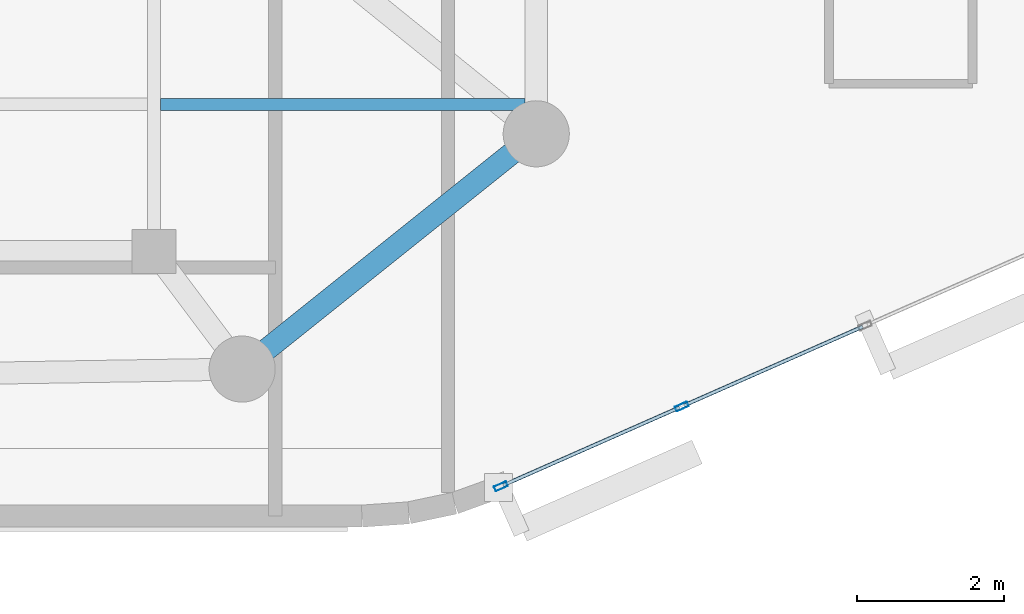
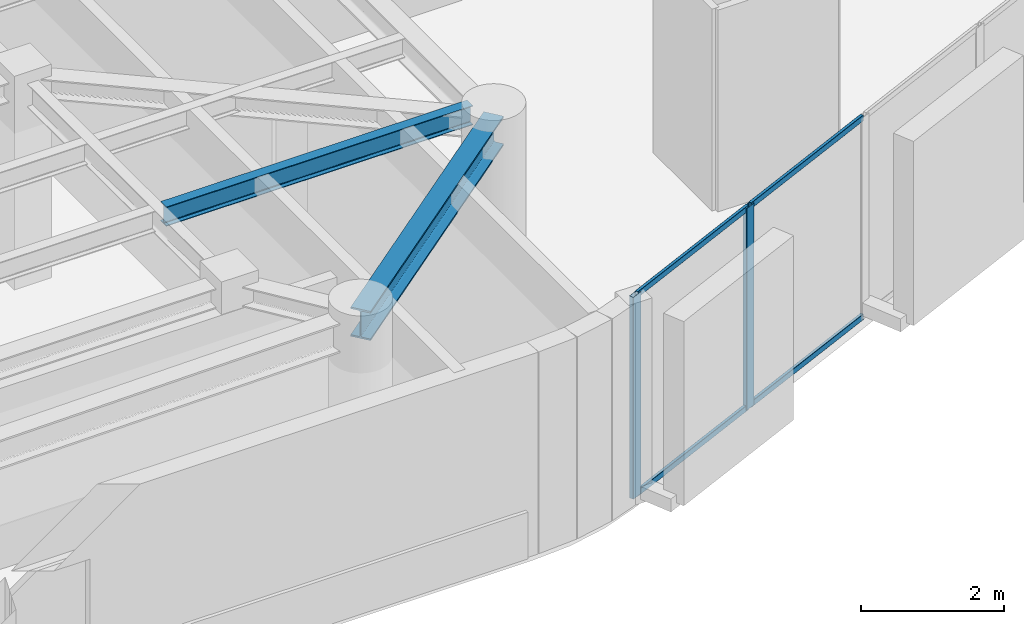
# One storey, part 2 of 12: 6 members, 2 beams, 1 element without a shape of its own.
"""IFC4 building model written with IfcOpenShell, lengths in metres."""

from ifc_helpers import new_model, si_unit, direction, frame, origin, origin_2d, place, context, subcontext, project, spatial, hollow_rectangle, i_section, extrude, material, layer, layer_set, material_profile, profile_set, type_object, element, aggregate, save


model = new_model("IFC4")

# Units and contexts
model_context = context("Model", 3, precision=1e-05, world=origin(), true_north=direction((0.0, 1.0)))
body_context = subcontext(model_context, "Body", "Model", "MODEL_VIEW")
ifc_project = project(units=[si_unit("LENGTHUNIT", "METRE"), si_unit("AREAUNIT", "SQUARE_METRE"), si_unit("VOLUMEUNIT", "CUBIC_METRE"), si_unit("PLANEANGLEUNIT", "RADIAN"), si_unit("MASSUNIT", "GRAM", prefix="KILO")], contexts=[model_context])

# Site, building, storey
site_placement = place(None, origin())
site = spatial("IfcSite", under=ifc_project, at=site_placement, CompositionType="ELEMENT")
building_placement = place(site_placement, origin())
building = spatial("IfcBuilding", under=site, at=building_placement, Name="An Khanh Terracotta Commons", CompositionType="ELEMENT")
storey_placement = place(building_placement, frame((0.0, 0.0, 262.449951171875)))
storey = spatial("IfcBuildingStorey", under=building, at=storey_placement, Name="L68", CompositionType="ELEMENT", Elevation=262.449951171875)

# Beams
ifc_material_1 = material(Name="Steel S355J2", Category="steel")
ifc_material_profile_1 = material_profile(ifc_material_1, i_section(OverallWidth=0.300048828125, OverallDepth=0.5, WebThickness=0.014404296875, FlangeThickness=0.028076171875, FilletRadius=0.027099609375, at=origin_2d()), Name="HEB500")
ifc_profile_set_1 = profile_set([ifc_material_profile_1], Name="Steel S355J2")
beam_type_1 = type_object("IfcBeamType", Name="BM-HEB500", PredefinedType="BEAM", material=ifc_profile_set_1)
beam_1_placement = place(storey_placement, frame((59.39990234375, 12.800048828125, 3.199951171875), z_axis=(0.780873459249, 0.624689235253, 0.0), x_axis=(-0.624689235253, 0.780873459249, 0.0)))
element("IfcBeam", 1, at=beam_1_placement, inside=storey, type_object=beam_type_1, Name="L68 Perimeter Ring Spandrel 2", PredefinedType="BEAM", context=body_context, shape_type="SweptSolid", body=[
    extrude(i_section(OverallWidth=0.300048828125, OverallDepth=0.5, WebThickness=0.014404296875, FlangeThickness=0.028076171875, FilletRadius=0.027099609375, at=origin_2d()), origin(), (0.0, 0.0, 1.0), 5.12255859375),
])
ifc_material_profile_2 = material_profile(ifc_material_1, i_section(OverallWidth=0.159912109375, OverallDepth=0.330078125, WebThickness=0.007568359375, FlangeThickness=0.011474609375, FilletRadius=0.01806640625, at=origin_2d()), Name="IPE330")
ifc_profile_set_2 = profile_set([ifc_material_profile_2], Name="Steel S355J2")
beam_type_2 = type_object("IfcBeamType", Name="BM-IPE330", PredefinedType="JOIST", material=ifc_profile_set_2)
beam_2_placement = place(storey_placement, frame((58.2900390625, 16.39990234375, 3.28515625), z_axis=(1.0, 0.0, 0.0), x_axis=(0.0, 1.0, 0.0)))
element("IfcBeam", 2, at=beam_2_placement, inside=storey, type_object=beam_type_2, Name="L68 Riverfront Composite Joist 1", PredefinedType="JOIST", context=body_context, shape_type="SweptSolid", body=[
    extrude(i_section(OverallWidth=0.159912109375, OverallDepth=0.330078125, WebThickness=0.007568359375, FlangeThickness=0.011474609375, FilletRadius=0.01806640625, at=origin_2d()), origin(), (0.0, 0.0, 1.0), 4.9599609375),
])

# Curtain wall, members
ifc_material_2 = material(Name="Anodised Aluminium 6063-T6", Category="aluminium")
ifc_layer = layer(ifc_material_2, 0.2099609375, Name="Anodised Aluminium 6063-T6")
ifc_layer_set = layer_set([ifc_layer], Name="Anodised Aluminium 6063-T6")
curtain_wall_type = type_object("IfcCurtainWallType", Name="CW-SYS-03", PredefinedType="USERDEFINED", material=ifc_layer_set)
curtain_wall_placement = place(storey_placement, origin())
curtain_wall = element("IfcCurtainWall", 3, at=curtain_wall_placement, inside=storey, type_object=curtain_wall_type, Name="L68 CW-03 Unitised Curtain Wall CW-L68-08", ObjectType="UNITISED CURTAIN WALL", PredefinedType="USERDEFINED")
ifc_material_profile_3 = material_profile(ifc_material_2, hollow_rectangle(XDim=0.070068359375, YDim=0.179931640625, WallThickness=0.00390625, InnerFilletRadius=0.00390625, OuterFilletRadius=0.008056640625, at=origin_2d()), Name="RHS180x70x4")
ifc_profile_set_3 = profile_set([ifc_material_profile_3], Name="Anodised Aluminium 6063-T6")
member_type_1 = type_object("IfcMemberType", Name="CWM-RHS180x70x4", PredefinedType="MULLION", material=ifc_profile_set_3)
member_1_placement = place(storey_placement, frame((62.9189453125, 11.205078125, 0.0), z_axis=(0.0, 0.0, 1.0), x_axis=(-0.403676354285, 0.914901853201, 0.0)))
member_1 = element("IfcMember", 4, at=member_1_placement, type_object=member_type_1, Name="CW-03 mullion 1", PredefinedType="MULLION", context=body_context, shape_type="SweptSolid", body=[
    extrude(hollow_rectangle(XDim=0.070068359375, YDim=0.179931640625, WallThickness=0.00390625, InnerFilletRadius=0.00390625, OuterFilletRadius=0.008056640625, at=origin_2d()), origin(), (0.0, 0.0, 1.0), 3.449951171875),
])
member_2_placement = place(storey_placement, frame((65.37939453125, 12.290771484375, 0.0), z_axis=(0.0, 0.0, 1.0), x_axis=(-0.403676354285, 0.914901853201, 0.0)))
member_2 = element("IfcMember", 5, at=member_2_placement, type_object=member_type_1, Name="CW-03 mullion 2", PredefinedType="MULLION", context=body_context, shape_type="SweptSolid", body=[
    extrude(hollow_rectangle(XDim=0.070068359375, YDim=0.179931640625, WallThickness=0.00390625, InnerFilletRadius=0.00390625, OuterFilletRadius=0.008056640625, at=origin_2d()), origin(), (0.0, 0.0, 1.0), 3.449951171875),
])
ifc_material_profile_4 = material_profile(ifc_material_2, hollow_rectangle(XDim=0.050048828125, YDim=0.10009765625, WallThickness=0.003173828125, InnerFilletRadius=0.003173828125, OuterFilletRadius=0.00634765625, at=origin_2d()), Name="RHS100x50x3.2")
ifc_profile_set_4 = profile_set([ifc_material_profile_4], Name="Anodised Aluminium 6063-T6")
member_type_2 = type_object("IfcMemberType", Name="CWT-RHS100x50x3.2", PredefinedType="USERDEFINED", material=ifc_profile_set_4)
member_3_placement = place(storey_placement, frame((62.950927734375, 11.21923828125, 0.025146484375), z_axis=(0.914903627858, 0.403672332137, 0.0), x_axis=(-0.403672332137, 0.914903627858, 0.0)))
member_3 = element("IfcMember", 6, at=member_3_placement, type_object=member_type_2, Name="CW-03 transom 1.1", ObjectType="TRANSOM", PredefinedType="USERDEFINED", context=body_context, shape_type="SweptSolid", body=[
    extrude(hollow_rectangle(XDim=0.050048828125, YDim=0.10009765625, WallThickness=0.003173828125, InnerFilletRadius=0.003173828125, OuterFilletRadius=0.00634765625, at=origin_2d()), origin(), (0.0, 0.0, 1.0), 2.619384765625),
])
member_4_placement = place(storey_placement, frame((62.950927734375, 11.21923828125, 3.425048828125), z_axis=(0.914903627858, 0.403672332137, 0.0), x_axis=(-0.403672332137, 0.914903627858, 0.0)))
member_4 = element("IfcMember", 7, at=member_4_placement, type_object=member_type_2, Name="CW-03 transom 1.2", ObjectType="TRANSOM", PredefinedType="USERDEFINED", context=body_context, shape_type="SweptSolid", body=[
    extrude(hollow_rectangle(XDim=0.050048828125, YDim=0.10009765625, WallThickness=0.003173828125, InnerFilletRadius=0.003173828125, OuterFilletRadius=0.00634765625, at=origin_2d()), origin(), (0.0, 0.0, 1.0), 2.619384765625),
])
member_5_placement = place(storey_placement, frame((65.41162109375, 12.304931640625, 0.025146484375), z_axis=(0.914896820753, 0.403687759755, 0.0), x_axis=(-0.403687759755, 0.914896820753, 0.0)))
member_5 = element("IfcMember", 8, at=member_5_placement, type_object=member_type_2, Name="CW-03 transom 2.1", ObjectType="TRANSOM", PredefinedType="USERDEFINED", context=body_context, shape_type="SweptSolid", body=[
    extrude(hollow_rectangle(XDim=0.050048828125, YDim=0.10009765625, WallThickness=0.003173828125, InnerFilletRadius=0.003173828125, OuterFilletRadius=0.00634765625, at=origin_2d()), origin(), (0.0, 0.0, 1.0), 2.654296875),
])
member_6_placement = place(storey_placement, frame((65.41162109375, 12.304931640625, 3.425048828125), z_axis=(0.914896820753, 0.403687759755, 0.0), x_axis=(-0.403687759755, 0.914896820753, 0.0)))
member_6 = element("IfcMember", 9, at=member_6_placement, type_object=member_type_2, Name="CW-03 transom 2.2", ObjectType="TRANSOM", PredefinedType="USERDEFINED", context=body_context, shape_type="SweptSolid", body=[
    extrude(hollow_rectangle(XDim=0.050048828125, YDim=0.10009765625, WallThickness=0.003173828125, InnerFilletRadius=0.003173828125, OuterFilletRadius=0.00634765625, at=origin_2d()), origin(), (0.0, 0.0, 1.0), 2.654296875),
])
aggregate(curtain_wall, [member_1, member_2, member_3, member_4, member_5, member_6])

save(model, "model.ifc")
